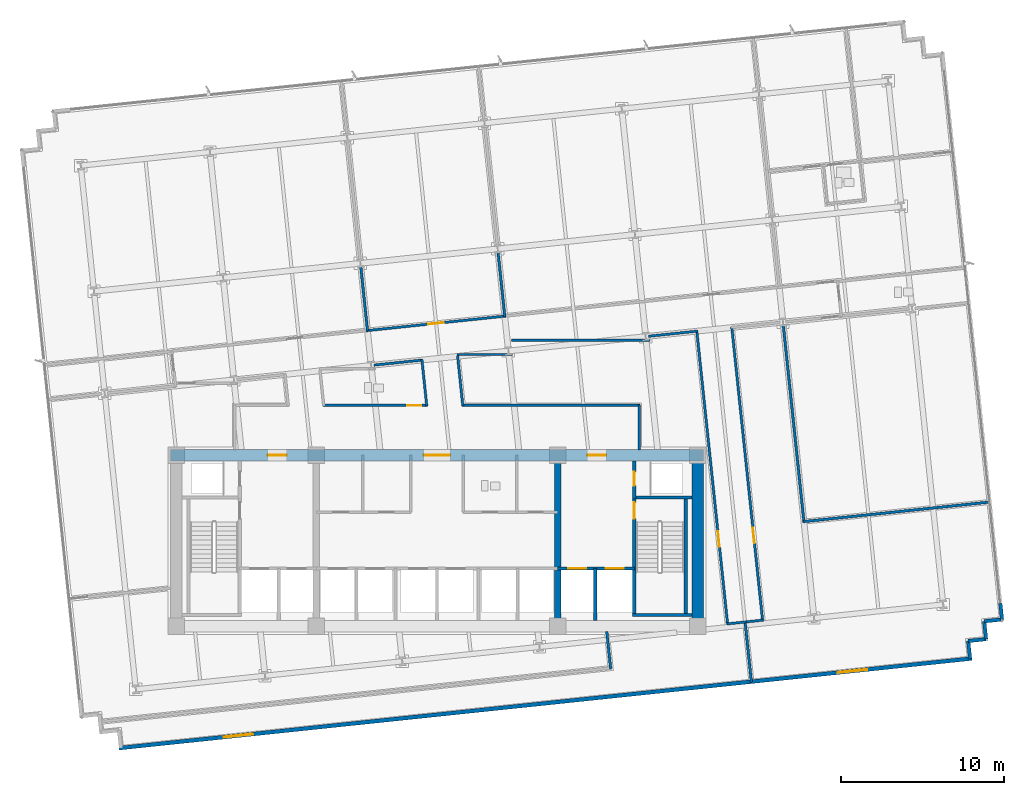
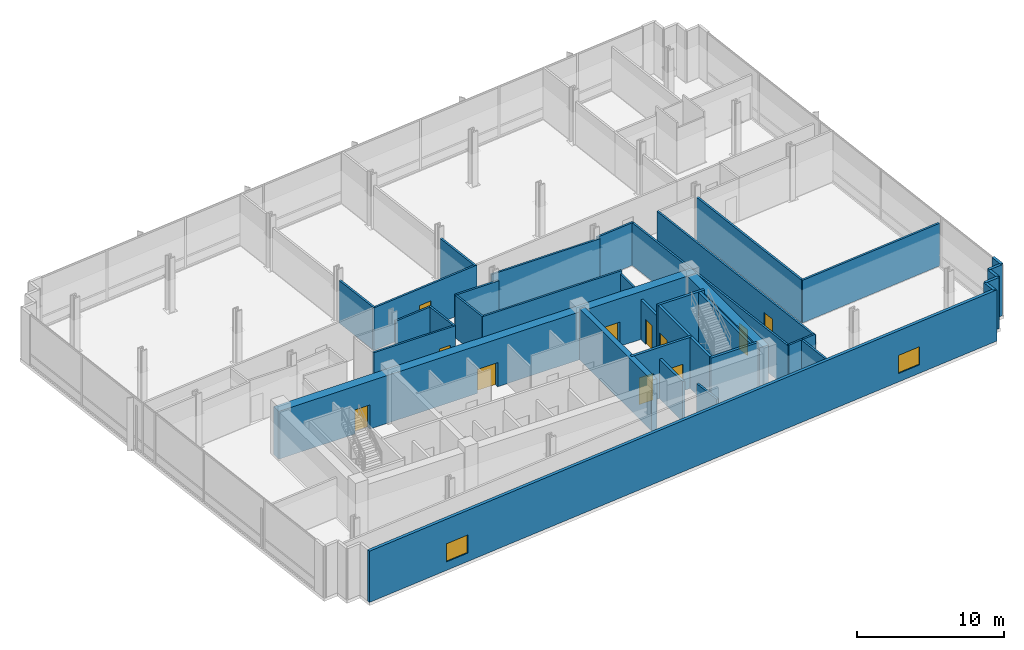
# One storey, part 13 of 20: 36 walls, 11 doors, 2 windows, 13 openings.
"""IFC4 building model written with IfcOpenShell, lengths in metres."""

from ifc_helpers import new_model, si_unit, direction, frame, frame_2d, origin, place, context, subcontext, project, spatial, rectangle, extrude, material, layer, layer_set, type_object, element, fill, save


model = new_model("IFC4")

# Units and contexts
model_context = context("Model", 3, precision=1e-05, world=origin(), true_north=direction((0.0, 1.0)))
body_context = subcontext(model_context, "Body", "Model", "MODEL_VIEW")
ifc_project = project(units=[si_unit("LENGTHUNIT", "METRE"), si_unit("AREAUNIT", "SQUARE_METRE"), si_unit("VOLUMEUNIT", "CUBIC_METRE"), si_unit("PLANEANGLEUNIT", "RADIAN"), si_unit("MASSUNIT", "GRAM", prefix="KILO")], contexts=[model_context])

# Site, building, storey
site_placement = place(None, origin())
site = spatial("IfcSite", under=ifc_project, at=site_placement, CompositionType="ELEMENT")
building_placement = place(site_placement, origin())
building = spatial("IfcBuilding", under=site, at=building_placement, Name="Solmavex Isthmus Hotel", CompositionType="ELEMENT")
storey_placement = place(building_placement, frame((0.0, 0.0, 97.35009765625)))
storey = spatial("IfcBuildingStorey", under=building, at=storey_placement, Name="L26", CompositionType="ELEMENT", Elevation=97.35009765625)

# Wall, openings, windows
ifc_material_1 = material(Name="Precast Concrete C40/50", Category="concrete")
ifc_layer_1 = layer(ifc_material_1, 0.25)
ifc_layer_set_1 = layer_set([ifc_layer_1], Name="Precast Concrete C40/50")
wall_type_1 = type_object("IfcWallType", Name="EW-TWR-250", PredefinedType="STANDARD", material=ifc_layer_set_1)
wall_1_placement = place(storey_placement, frame((-19.504150390625, -20.4716796875, 0.0), z_axis=(0.0, 0.0, 1.0), x_axis=(0.994521743132, 0.104529911687, 0.0)))
wall_1 = element("IfcWall", 1, at=wall_1_placement, inside=storey, type_object=wall_type_1, Name="Tower Rear South Facade Wall L26", PredefinedType="STANDARD", context=body_context, shape_type="SweptSolid", body=[
    extrude(rectangle(XDim=52.60009765625, YDim=0.239990234375, at=frame_2d((26.300048828125, 0.0))), origin(), (0.0, 0.0, 1.0), 4.239990234375),
])
opening_1_placement = place(wall_1_placement, frame((6.464111328125, 0.0, 0.699951171875)))
opening_1 = element("IfcOpeningElement", 2, at=opening_1_placement, cuts=wall_1, Name="Opening WN-02", PredefinedType="OPENING", context=body_context, shape_type="SweptSolid", body=[
    extrude(rectangle(XDim=1.800048828125, YDim=1.5, at=frame_2d((0.89990234375, 0.75))), frame((0.0, 0.1298828125, 0.0), z_axis=(0.0, -1.0, 0.0), x_axis=(1.0, 0.0, 0.0)), (0.0, 0.0, 1.0), 0.260009765625),
])
opening_2_placement = place(wall_1_placement, frame((44.3359375, 0.0, 0.699951171875)))
opening_2 = element("IfcOpeningElement", 3, at=opening_2_placement, cuts=wall_1, Name="Opening WN-02", PredefinedType="OPENING", context=body_context, shape_type="SweptSolid", body=[
    extrude(rectangle(XDim=1.800048828125, YDim=1.5, at=frame_2d((0.89990234375, 0.75))), frame((0.0, 0.1298828125, 0.0), z_axis=(0.0, -1.0, 0.0), x_axis=(1.0, 0.0, 0.0)), (0.0, 0.0, 1.0), 0.260009765625),
])
ifc_material_2 = material(Name="Clear low-E laminated glass", Category="glass")
window_type = type_object("IfcWindowType", Name="WIN-TWR-1800", PartitioningType="SINGLE_PANEL", PredefinedType="WINDOW", material=ifc_material_2)
window_1_placement = place(opening_1_placement, origin())
window_1 = element("IfcWindow", 4, at=window_1_placement, inside=storey, type_object=window_type, Name="South Facade Vision Window L26-S1", OverallHeight=1.5, OverallWidth=1.800048828125, PartitioningType="SINGLE_PANEL", PredefinedType="WINDOW", context=body_context, shape_type="SweptSolid", body=[
    extrude(rectangle(XDim=1.800048828125, YDim=1.5, at=frame_2d((0.89990234375, 0.75))), frame((0.0, 0.030029296875, 0.0), z_axis=(0.0, -1.0, 0.0), x_axis=(1.0, 0.0, 0.0)), (0.0, 0.0, 1.0), 0.06005859375),
])
fill(opening_1, window_1)
window_2_placement = place(opening_2_placement, origin())
window_2 = element("IfcWindow", 5, at=window_2_placement, inside=storey, type_object=window_type, Name="South Facade Vision Window L26-S2", OverallHeight=1.5, OverallWidth=1.800048828125, PartitioningType="SINGLE_PANEL", PredefinedType="WINDOW", context=body_context, shape_type="SweptSolid", body=[
    extrude(rectangle(XDim=1.800048828125, YDim=1.5, at=frame_2d((0.89990234375, 0.75))), frame((0.0, 0.030029296875, 0.0), z_axis=(0.0, -1.0, 0.0), x_axis=(1.0, 0.0, 0.0)), (0.0, 0.0, 1.0), 0.06005859375),
])
fill(opening_2, window_2)

# Walls
wall_2_placement = place(storey_placement, frame((34.553955078125, -11.59228515625, 0.0), z_axis=(0.0, 0.0, 1.0), x_axis=(0.104556418955, -0.99451895671, 0.0)))
element("IfcWall", 6, at=wall_2_placement, inside=storey, type_object=wall_type_1, Name="Serrated Corner Facade Panel L26-21", PredefinedType="STANDARD", context=body_context, shape_type="SweptSolid", body=[
    extrude(rectangle(XDim=0.989990234375, YDim=0.219970703125, at=frame_2d((0.4951171875, 0.0))), origin(), (0.0, 0.0, 1.0), 4.239990234375),
])
for number, where, z_axis, x_axis, name in (
    (7, (34.657470703125, -12.576904296875, 0.0), (0.0, 0.0, 1.0), (-0.994521251134, -0.104534592565, 0.0), "Serrated Corner Facade Panel L26-22"),
    (8, (33.5634765625, -12.69189453125, 0.0), (0.0, 0.0, 1.0), (0.104534592565, -0.994521251134, 0.0), "Serrated Corner Facade Panel L26-23"),
    (9, (33.678466796875, -13.785888671875, 0.0), (0.0, 0.0, 1.0), (-0.994521251134, -0.104534592565, 0.0), "Serrated Corner Facade Panel L26-24"),
    (10, (32.58447265625, -13.90087890625, 0.0), (0.0, 0.0, 1.0), (0.104534592565, -0.994521251134, 0.0), "Serrated Corner Facade Panel L26-25"),
):
    element("IfcWall", number, at=place(storey_placement, frame(where, z_axis=z_axis, x_axis=x_axis)), inside=storey, type_object=wall_type_1, Name=name, PredefinedType="STANDARD", context=body_context, shape_type="SweptSolid", body=[
        extrude(rectangle(XDim=1.10009765625, YDim=0.219970703125, at=frame_2d((0.550048828125, 0.0))), origin(), (0.0, 0.0, 1.0), 4.239990234375),
    ])
ifc_material_3 = material(Name="Gypsum plasterboard lining", Category="gypsum")
ifc_layer_2 = layer(ifc_material_3, 0.159912109375)
ifc_layer_set_2 = layer_set([ifc_layer_2], Name="Gypsum plasterboard lining")
wall_type_2 = type_object("IfcWallType", Name="IW-COMP-160", PredefinedType="PARTITIONING", material=ifc_layer_set_2)
for number, where, z_axis, x_axis, name in (
    (11, (-4.678955078125, 9.091796875, 0.0), (0.0, 0.0, 1.0), (0.104491540593, -0.994525775405, 0.0), "Interior Partition Wall W-L26-P031"),
    (12, (3.740478515625, 9.976806640625, 0.0), (0.0, 0.0, 1.0), (0.104551732594, -0.994519449388, 0.0), "Interior Partition Wall W-L26-P035"),
):
    element("IfcWall", number, at=place(storey_placement, frame(where, z_axis=z_axis, x_axis=x_axis)), inside=storey, type_object=wall_type_2, Name=name, PredefinedType="PARTITIONING", context=body_context, shape_type="SweptSolid", body=[
        extrude(rectangle(XDim=4.01171875, YDim=0.159912109375, at=frame_2d((2.005859375, 0.0))), origin(), (0.0, 0.0, 1.0), 3.529296875),
    ])
wall_3_placement = place(storey_placement, frame((33.930419921875, -5.37353515625, 0.0), z_axis=(0.0, 0.0, 1.0), x_axis=(-0.994523425118, -0.104513907644, 0.0)))
element("IfcWall", 13, at=wall_3_placement, inside=storey, type_object=wall_type_2, Name="Interior Partition Wall W-L26-P053", PredefinedType="PARTITIONING", context=body_context, shape_type="SweptSolid", body=[
    extrude(rectangle(XDim=11.528076171875, YDim=0.159912109375, at=frame_2d((5.76416015625, 0.0))), origin(), (0.0, 0.0, 1.0), 3.529296875),
])
wall_4_placement = place(storey_placement, frame((22.509521484375, -6.614013671875, 0.0), z_axis=(0.0, 0.0, 1.0), x_axis=(-0.104530153499, 0.994521717716, 0.0)))
element("IfcWall", 14, at=wall_4_placement, inside=storey, type_object=wall_type_2, Name="Interior Partition Wall W-L26-P054", PredefinedType="PARTITIONING", context=body_context, shape_type="SweptSolid", body=[
    extrude(rectangle(XDim=12.163818359375, YDim=0.159912109375, at=frame_2d((6.08203125, 0.0))), origin(), (0.0, 0.0, 1.0), 3.529296875),
])
wall_5_placement = place(storey_placement, frame((10.411376953125, -13.310302734375, 0.0), z_axis=(0.0, 0.0, 1.0), x_axis=(0.104535925093, -0.99452111107, 0.0)))
element("IfcWall", 15, at=wall_5_placement, inside=storey, type_object=wall_type_2, Name="Interior Partition Wall W-L26-P055", PredefinedType="PARTITIONING", context=body_context, shape_type="SweptSolid", body=[
    extrude(rectangle(XDim=2.30517578125, YDim=0.159912109375, at=frame_2d((1.152587890625, 0.0))), origin(), (0.0, 0.0, 1.0), 3.27490234375),
])
wall_6_placement = place(storey_placement, frame((18.8935546875, -12.6953125, 0.0), z_axis=(0.0, 0.0, 1.0), x_axis=(0.104536068716, -0.994521095974, 0.0)))
element("IfcWall", 16, at=wall_6_placement, inside=storey, type_object=wall_type_2, Name="Interior Partition Wall W-L26-P057", PredefinedType="PARTITIONING", context=body_context, shape_type="SweptSolid", body=[
    extrude(rectangle(XDim=3.760009765625, YDim=0.159912109375, at=frame_2d((1.8798828125, 0.0))), origin(), (0.0, 0.0, 1.0), 3.60302734375),
])

# Wall, opening, door
ifc_layer_3 = layer(ifc_material_3, 0.14990234375)
ifc_layer_set_3 = layer_set([ifc_layer_3], Name="Gypsum plasterboard lining")
wall_type_3 = type_object("IfcWallType", Name="IW-CORR-150", PredefinedType="PARTITIONING", material=ifc_layer_set_3)
wall_7_placement = place(storey_placement, frame((-4.345458984375, 5.13330078125, 0.0), z_axis=(0.0, 0.0, 1.0), x_axis=(0.994521717123, 0.104530159146, 0.0)))
wall_7 = element("IfcWall", 17, at=wall_7_placement, inside=storey, type_object=wall_type_3, Name="Interior Partition Wall W-L26-P002", PredefinedType="PARTITIONING", context=body_context, shape_type="SweptSolid", body=[
    extrude(rectangle(XDim=8.630126953125, YDim=0.14990234375, at=frame_2d((4.31494140625, 0.0))), origin(), (0.0, 0.0, 1.0), 3.529296875),
])
opening_3_placement = place(wall_7_placement, frame((3.840087890625, 0.0, 0.0)))
opening_3 = element("IfcOpeningElement", 18, at=opening_3_placement, cuts=wall_7, Name="Opening ID-C095", PredefinedType="OPENING", context=body_context, shape_type="SweptSolid", body=[
    extrude(rectangle(XDim=0.949951171875, YDim=2.14990234375, at=frame_2d((0.47509765625, 1.074951171875))), frame((0.0, 0.0849609375, 0.0), z_axis=(0.0, -1.0, 0.0), x_axis=(1.0, 0.0, 0.0)), (0.0, 0.0, 1.0), 0.169921875),
])
ifc_material_4 = material(Name="Hardwood timber", Category="wood")
door_type_1 = type_object("IfcDoorType", Name="IDR-FD60-0950", OperationType="NOTDEFINED", PredefinedType="DOOR", material=ifc_material_4)
door_1_placement = place(opening_3_placement, origin())
door_1 = element("IfcDoor", 19, at=door_1_placement, inside=storey, type_object=door_type_1, Name="Concierge Reception Door L26-02", OperationType="SINGLE_SWING_RIGHT", OverallHeight=2.14990234375, OverallWidth=0.949951171875, PredefinedType="DOOR", context=body_context, shape_type="SweptSolid", body=[
    extrude(rectangle(XDim=0.949951171875, YDim=2.14990234375, at=frame_2d((0.47509765625, 1.074951171875))), frame((0.0, 0.02490234375, 0.0), z_axis=(0.0, -1.0, 0.0), x_axis=(1.0, 0.0, 0.0)), (0.0, 0.0, 1.0), 0.050048828125),
])
fill(opening_3, door_1)

wall_8_placement = place(storey_placement, frame((-6.99169921875, 0.550048828125, 0.0), z_axis=(0.0, 0.0, 1.0), x_axis=(1.0, 0.0, 0.0)))
wall_8 = element("IfcWall", 20, at=wall_8_placement, inside=storey, type_object=wall_type_3, Name="Interior Partition Wall W-L26-P007", PredefinedType="PARTITIONING", context=body_context, shape_type="SweptSolid", body=[
    extrude(rectangle(XDim=6.400634765625, YDim=0.14990234375, at=frame_2d((3.2001953125, 0.0))), origin(), (0.0, 0.0, 1.0), 3.529296875),
])
opening_4_placement = place(wall_8_placement, frame((5.16455078125, 0.0, 0.0)))
opening_4 = element("IfcOpeningElement", 21, at=opening_4_placement, cuts=wall_8, Name="Opening ID-R085", PredefinedType="OPENING", context=body_context, shape_type="SweptSolid", body=[
    extrude(rectangle(XDim=0.85009765625, YDim=2.050048828125, at=frame_2d((0.425048828125, 1.02490234375))), frame((0.0, 0.0849609375, 0.0), z_axis=(0.0, -1.0, 0.0), x_axis=(1.0, 0.0, 0.0)), (0.0, 0.0, 1.0), 0.169921875),
])
ifc_material_5 = material(Name="Steel ASTM A500 Grade C", Category="steel")
door_type_2 = type_object("IfcDoorType", Name="IDR-FD60-0850", OperationType="NOTDEFINED", PredefinedType="DOOR", material=ifc_material_5)
door_2_placement = place(opening_4_placement, frame((0.85009765625, 0.0, 0.0), z_axis=(0.0, 0.0, 1.0), x_axis=(-1.0, 0.0, 0.0)))
door_2 = element("IfcDoor", 22, at=door_2_placement, inside=storey, type_object=door_type_2, Name="Accessible Public Restroom WC Door L26-08", OperationType="SINGLE_SWING_RIGHT", OverallHeight=2.050048828125, OverallWidth=0.85009765625, PredefinedType="DOOR", context=body_context, shape_type="SweptSolid", body=[
    extrude(rectangle(XDim=0.85009765625, YDim=2.050048828125, at=frame_2d((0.425048828125, 1.02490234375))), frame((0.0, 0.02490234375, 0.0), z_axis=(0.0, -1.0, 0.0), x_axis=(1.0, 0.0, 0.0)), (0.0, 0.0, 1.0), 0.050048828125),
])
fill(opening_4, door_2)

# Walls
wall_9_placement = place(storey_placement, frame((-0.626708984375, 0.51025390625, 0.0), z_axis=(0.0, 0.0, 1.0), x_axis=(-0.104569907609, 0.994517538519, 0.0)))
element("IfcWall", 23, at=wall_9_placement, inside=storey, type_object=wall_type_3, Name="Interior Partition Wall W-L26-P008", PredefinedType="PARTITIONING", context=body_context, shape_type="SweptSolid", body=[
    extrude(rectangle(XDim=2.87646484375, YDim=0.14990234375, at=frame_2d((1.438232421875, 0.0))), origin(), (0.0, 0.0, 1.0), 3.529296875),
])
wall_10_placement = place(storey_placement, frame((-0.883544921875, 3.335205078125, 0.0), z_axis=(0.0, 0.0, 1.0), x_axis=(-0.994522848096, -0.104519398272, 0.0)))
element("IfcWall", 24, at=wall_10_placement, inside=storey, type_object=wall_type_3, Name="Interior Partition Wall W-L26-P009", PredefinedType="PARTITIONING", context=body_context, shape_type="SweptSolid", body=[
    extrude(rectangle(XDim=2.996826171875, YDim=0.14990234375, at=frame_2d((1.49853515625, 0.0))), origin(), (0.0, 0.0, 1.0), 3.529296875),
])
wall_11_placement = place(storey_placement, frame((18.979248046875, -12.7265625, 0.0), z_axis=(0.0, 0.0, 1.0), x_axis=(-0.994524339101, -0.104505210087, 0.0)))
element("IfcWall", 25, at=wall_11_placement, inside=storey, type_object=wall_type_3, Name="Interior Partition Wall W-L26-P018", PredefinedType="PARTITIONING", context=body_context, shape_type="SweptSolid", body=[
    extrude(rectangle(XDim=1.203125, YDim=0.14990234375, at=frame_2d((0.6015625, 0.0))), origin(), (0.0, 0.0, 1.0), 3.60302734375),
])

# Wall, opening, door
wall_12_placement = place(storey_placement, frame((17.82666015625, -12.887939453125, 0.0), z_axis=(0.0, 0.0, 1.0), x_axis=(-0.104523559353, 0.994522410778, 0.0)))
wall_12 = element("IfcWall", 26, at=wall_12_placement, inside=storey, type_object=wall_type_3, Name="Interior Partition Wall W-L26-P019", PredefinedType="PARTITIONING", context=body_context, shape_type="SweptSolid", body=[
    extrude(rectangle(XDim=18.130126953125, YDim=0.14990234375, at=frame_2d((9.06494140625, 0.0))), origin(), (0.0, 0.0, 1.0), 3.529296875),
])
opening_5_placement = place(wall_12_placement, frame((4.799560546875, 0.0, 0.0)))
opening_5 = element("IfcOpeningElement", 27, at=opening_5_placement, cuts=wall_12, Name="Opening ID-C095", PredefinedType="OPENING", context=body_context, shape_type="SweptSolid", body=[
    extrude(rectangle(XDim=0.949951171875, YDim=2.14990234375, at=frame_2d((0.47509765625, 1.074951171875))), frame((0.0, 0.0849609375, 0.0), z_axis=(0.0, -1.0, 0.0), x_axis=(1.0, 0.0, 0.0)), (0.0, 0.0, 1.0), 0.169921875),
])
door_3_placement = place(opening_5_placement, frame((0.949951171875, 0.0, 0.0), z_axis=(0.0, 0.0, 1.0), x_axis=(-1.0, 0.0, 0.0)))
door_3 = element("IfcDoor", 28, at=door_3_placement, inside=storey, type_object=door_type_1, Name="VIP Boardroom Door L26-14", OperationType="SINGLE_SWING_RIGHT", OverallHeight=2.14990234375, OverallWidth=0.949951171875, PredefinedType="DOOR", context=body_context, shape_type="SweptSolid", body=[
    extrude(rectangle(XDim=0.949951171875, YDim=2.14990234375, at=frame_2d((0.47509765625, 1.074951171875))), frame((0.0, 0.02490234375, 0.0), z_axis=(0.0, -1.0, 0.0), x_axis=(1.0, 0.0, 0.0)), (0.0, 0.0, 1.0), 0.050048828125),
])
fill(opening_5, door_3)

# Walls
wall_13_placement = place(storey_placement, frame((15.9755859375, 5.107177734375, 0.0), z_axis=(0.0, 0.0, 1.0), x_axis=(-0.994518748051, -0.104558403652, 0.0)))
element("IfcWall", 29, at=wall_13_placement, inside=storey, type_object=wall_type_3, Name="Interior Partition Wall W-L26-P020", PredefinedType="PARTITIONING", context=body_context, shape_type="SweptSolid", body=[
    extrude(rectangle(XDim=3.016845703125, YDim=0.14990234375, at=frame_2d((1.50830078125, 0.0))), origin(), (0.0, 0.0, 1.0), 3.529296875),
])
wall_14_placement = place(storey_placement, frame((13.05517578125, 4.558349609375, 0.0), z_axis=(0.0, 0.0, 1.0), x_axis=(-1.0, 0.0, 0.0)))
element("IfcWall", 30, at=wall_14_placement, inside=storey, type_object=wall_type_3, Name="Interior Partition Wall W-L26-P021", PredefinedType="PARTITIONING", context=body_context, shape_type="SweptSolid", body=[
    extrude(rectangle(XDim=8.49951171875, YDim=0.14990234375, at=frame_2d((4.249755859375, 0.0))), origin(), (0.0, 0.0, 1.0), 3.529296875),
])
wall_15_placement = place(storey_placement, frame((4.635498046875, 3.673583984375, 0.0), z_axis=(0.0, 0.0, 1.0), x_axis=(-1.0, 0.0, 0.0)))
element("IfcWall", 31, at=wall_15_placement, inside=storey, type_object=wall_type_3, Name="Interior Partition Wall W-L26-P022", PredefinedType="PARTITIONING", context=body_context, shape_type="SweptSolid", body=[
    extrude(rectangle(XDim=3.41064453125, YDim=0.14990234375, at=frame_2d((1.705322265625, 0.0))), origin(), (0.0, 0.0, 1.0), 3.529296875),
])
wall_16_placement = place(storey_placement, frame((1.260498046875, 3.600830078125, 0.0), z_axis=(0.0, 0.0, 1.0), x_axis=(0.104488483176, -0.994526096633, 0.0)))
element("IfcWall", 32, at=wall_16_placement, inside=storey, type_object=wall_type_3, Name="Interior Partition Wall W-L26-P023", PredefinedType="PARTITIONING", context=body_context, shape_type="SweptSolid", body=[
    extrude(rectangle(XDim=3.107666015625, YDim=0.14990234375, at=frame_2d((1.5537109375, 0.0))), origin(), (0.0, 0.0, 1.0), 3.529296875),
])
wall_17_placement = place(storey_placement, frame((1.541015625, 0.550048828125, 0.0), z_axis=(0.0, 0.0, 1.0), x_axis=(1.0, 0.0, 0.0)))
element("IfcWall", 33, at=wall_17_placement, inside=storey, type_object=wall_type_3, Name="Interior Partition Wall W-L26-P024", PredefinedType="PARTITIONING", context=body_context, shape_type="SweptSolid", body=[
    extrude(rectangle(XDim=10.89892578125, YDim=0.14990234375, at=frame_2d((5.449462890625, 0.0))), origin(), (0.0, 0.0, 1.0), 3.529296875),
])
wall_18_placement = place(storey_placement, frame((12.39990234375, 0.590087890625, 0.0), z_axis=(0.0, 0.0, 1.0), x_axis=(0.0, -1.0, 0.0)))
element("IfcWall", 34, at=wall_18_placement, inside=storey, type_object=wall_type_3, Name="Interior Partition Wall W-L26-P025", PredefinedType="PARTITIONING", context=body_context, shape_type="SweptSolid", body=[
    extrude(rectangle(XDim=2.780029296875, YDim=0.14990234375, at=frame_2d((1.39013671875, 0.0))), origin(), (0.0, 0.0, 1.0), 3.27490234375),
])

# Wall, opening, door
wall_19_placement = place(storey_placement, frame((18.079833984375, 5.36865234375, 0.0), z_axis=(0.0, 0.0, 1.0), x_axis=(0.104523559353, -0.994522410778, 0.0)))
wall_19 = element("IfcWall", 35, at=wall_19_placement, inside=storey, type_object=wall_type_3, Name="Interior Partition Wall W-L26-P027", PredefinedType="PARTITIONING", context=body_context, shape_type="SweptSolid", body=[
    extrude(rectangle(XDim=18.130126953125, YDim=0.14990234375, at=frame_2d((9.06494140625, 0.0))), origin(), (0.0, 0.0, 1.0), 3.529296875),
])
opening_6_placement = place(wall_19_placement, frame((12.380615234375, 0.0, 0.0)))
opening_6 = element("IfcOpeningElement", 36, at=opening_6_placement, cuts=wall_19, Name="Opening ID-C095", PredefinedType="OPENING", context=body_context, shape_type="SweptSolid", body=[
    extrude(rectangle(XDim=0.949951171875, YDim=2.14990234375, at=frame_2d((0.47509765625, 1.074951171875))), frame((0.0, 0.0849609375, 0.0), z_axis=(0.0, -1.0, 0.0), x_axis=(1.0, 0.0, 0.0)), (0.0, 0.0, 1.0), 0.169921875),
])
door_4_placement = place(opening_6_placement, origin())
door_4 = element("IfcDoor", 37, at=door_4_placement, inside=storey, type_object=door_type_1, Name="Corporate Briefing Office Door L26-15", OperationType="SINGLE_SWING_LEFT", OverallHeight=2.14990234375, OverallWidth=0.949951171875, PredefinedType="DOOR", context=body_context, shape_type="SweptSolid", body=[
    extrude(rectangle(XDim=0.949951171875, YDim=2.14990234375, at=frame_2d((0.47509765625, 1.074951171875))), frame((0.0, 0.02490234375, 0.0), z_axis=(0.0, -1.0, 0.0), x_axis=(1.0, 0.0, 0.0)), (0.0, 0.0, 1.0), 0.050048828125),
])
fill(opening_6, door_4)

# Wall
wall_20_placement = place(storey_placement, frame((20.010498046875, -12.6181640625, 0.0), z_axis=(0.0, 0.0, 1.0), x_axis=(-0.99452548582, -0.104494296752, 0.0)))
element("IfcWall", 38, at=wall_20_placement, inside=storey, type_object=wall_type_3, Name="Interior Partition Wall W-L26-P028", PredefinedType="PARTITIONING", context=body_context, shape_type="SweptSolid", body=[
    extrude(rectangle(XDim=1.200927734375, YDim=0.14990234375, at=frame_2d((0.6005859375, 0.0))), origin(), (0.0, 0.0, 1.0), 3.60302734375),
])

# Wall, opening, door
ifc_material_6 = material(Name="Concrete C40/50", Category="concrete")
ifc_layer_4 = layer(ifc_material_6, 0.199951171875)
ifc_layer_set_4 = layer_set([ifc_layer_4], Name="Concrete C40/50")
wall_type_4 = type_object("IfcWallType", Name="IW-SHAFT-200", PredefinedType="PARTITIONING", material=ifc_layer_set_4)
wall_21_placement = place(storey_placement, frame((12.10009765625, -5.199951171875, 0.0), z_axis=(0.0, 0.0, 1.0), x_axis=(0.0, 1.0, 0.0)))
wall_21 = element("IfcWall", 39, at=wall_21_placement, inside=storey, type_object=wall_type_4, Name="Interior Partition Wall W-L26-RSE-W", PredefinedType="PARTITIONING", context=body_context, shape_type="SweptSolid", body=[
    extrude(rectangle(XDim=2.349853515625, YDim=0.199951171875, at=frame_2d((1.1748046875, 0.0))), origin(), (0.0, 0.0, 1.0), 3.27490234375),
])
opening_7_placement = place(wall_21_placement, frame((0.824951171875, 0.0, 0.0)))
opening_7 = element("IfcOpeningElement", 40, at=opening_7_placement, cuts=wall_21, Name="Opening ID-R085", PredefinedType="OPENING", context=body_context, shape_type="SweptSolid", body=[
    extrude(rectangle(XDim=0.85009765625, YDim=2.050048828125, at=frame_2d((0.425048828125, 1.02490234375))), frame((0.0, 0.10986328125, 0.0), z_axis=(0.0, -1.0, 0.0), x_axis=(1.0, 0.0, 0.0)), (0.0, 0.0, 1.0), 0.219970703125),
])
door_5_placement = place(opening_7_placement, frame((0.85009765625, 0.0, 0.0), z_axis=(0.0, 0.0, 1.0), x_axis=(-1.0, 0.0, 0.0)))
door_5 = element("IfcDoor", 41, at=door_5_placement, inside=storey, type_object=door_type_2, Name="Mechanical Riser Door L26", OperationType="SINGLE_SWING_LEFT", OverallHeight=2.050048828125, OverallWidth=0.85009765625, PredefinedType="DOOR", context=body_context, shape_type="SweptSolid", body=[
    extrude(rectangle(XDim=0.85009765625, YDim=2.050048828125, at=frame_2d((0.425048828125, 1.02490234375))), frame((0.0, 0.02490234375, 0.0), z_axis=(0.0, -1.0, 0.0), x_axis=(1.0, 0.0, 0.0)), (0.0, 0.0, 1.0), 0.050048828125),
])
fill(opening_7, door_5)

# Wall, openings, doors
wall_22_placement = place(storey_placement, frame((7.39990234375, -9.449951171875, 0.0), z_axis=(0.0, 0.0, 1.0), x_axis=(1.0, 0.0, 0.0)))
wall_22 = element("IfcWall", 42, at=wall_22_placement, inside=storey, type_object=wall_type_4, Name="Interior Partition Wall W-L26-FFLE-S", PredefinedType="PARTITIONING", context=body_context, shape_type="SweptSolid", body=[
    extrude(rectangle(XDim=4.7001953125, YDim=0.199951171875, at=frame_2d((2.35009765625, 0.0))), origin(), (0.0, 0.0, 1.0), 4.239990234375),
])
opening_8_placement = place(wall_22_placement, frame((2.949951171875, 0.0, 0.0)))
opening_8 = element("IfcOpeningElement", 43, at=opening_8_placement, cuts=wall_22, Name="Opening LD-FF", PredefinedType="OPENING", context=body_context, shape_type="SweptSolid", body=[
    extrude(rectangle(XDim=1.10009765625, YDim=2.199951171875, at=frame_2d((0.550048828125, 1.10009765625))), frame((0.0, 0.10986328125, 0.0), z_axis=(0.0, -1.0, 0.0), x_axis=(1.0, 0.0, 0.0)), (0.0, 0.0, 1.0), 0.219970703125),
])
opening_9_placement = place(wall_22_placement, frame((0.64990234375, 0.0, 0.0)))
opening_9 = element("IfcOpeningElement", 44, at=opening_9_placement, cuts=wall_22, Name="Opening LD-SV", PredefinedType="OPENING", context=body_context, shape_type="SweptSolid", body=[
    extrude(rectangle(XDim=1.10009765625, YDim=2.199951171875, at=frame_2d((0.550048828125, 1.10009765625))), frame((0.0, 0.10986328125, 0.0), z_axis=(0.0, -1.0, 0.0), x_axis=(1.0, 0.0, 0.0)), (0.0, 0.0, 1.0), 0.219970703125),
])
ifc_material_7 = material(Name="Stainless steel 316", Category="steel")
door_type_3 = type_object("IfcDoorType", Name="LDR-FF-1100", OperationType="NOTDEFINED", PredefinedType="DOOR", material=ifc_material_7)
door_6_placement = place(opening_8_placement, origin())
door_6 = element("IfcDoor", 45, at=door_6_placement, inside=storey, type_object=door_type_3, Name="Lift Landing Door FFL-2 L26", OperationType="SLIDING_TO_LEFT", OverallHeight=2.199951171875, OverallWidth=1.10009765625, PredefinedType="DOOR", context=body_context, shape_type="SweptSolid", body=[
    extrude(rectangle(XDim=1.10009765625, YDim=2.199951171875, at=frame_2d((0.550048828125, 1.10009765625))), frame((0.0, 0.02490234375, 0.0), z_axis=(0.0, -1.0, 0.0), x_axis=(1.0, 0.0, 0.0)), (0.0, 0.0, 1.0), 0.050048828125),
])
fill(opening_8, door_6)
door_type_4 = type_object("IfcDoorType", Name="LDR-SV-1100", OperationType="NOTDEFINED", PredefinedType="DOOR", material=ifc_material_7)
door_7_placement = place(opening_9_placement, origin())
door_7 = element("IfcDoor", 46, at=door_7_placement, inside=storey, type_object=door_type_4, Name="Lift Landing Door SVL-2 L26", OperationType="SLIDING_TO_RIGHT", OverallHeight=2.199951171875, OverallWidth=1.10009765625, PredefinedType="DOOR", context=body_context, shape_type="SweptSolid", body=[
    extrude(rectangle(XDim=1.10009765625, YDim=2.199951171875, at=frame_2d((0.550048828125, 1.10009765625))), frame((0.0, 0.02490234375, 0.0), z_axis=(0.0, -1.0, 0.0), x_axis=(1.0, 0.0, 0.0)), (0.0, 0.0, 1.0), 0.050048828125),
])
fill(opening_9, door_7)

# Walls
wall_23_placement = place(storey_placement, frame((9.699951171875, -12.64990234375, 0.0), z_axis=(0.0, 0.0, 1.0), x_axis=(0.0, 1.0, 0.0)))
element("IfcWall", 47, at=wall_23_placement, inside=storey, type_object=wall_type_4, Name="Interior Partition Wall W-L26-FFLE-M", PredefinedType="PARTITIONING", context=body_context, shape_type="SweptSolid", body=[
    extrude(rectangle(XDim=3.199951171875, YDim=0.199951171875, at=frame_2d((1.60009765625, 0.0))), origin(), (0.0, 0.0, 1.0), 3.27490234375),
])
ifc_material_8 = material(Name="Concrete C60/75", Category="concrete")
ifc_layer_5 = layer(ifc_material_8, 0.39990234375)
ifc_layer_set_5 = layer_set([ifc_layer_5], Name="Concrete C60/75")
wall_type_5 = type_object("IfcWallType", Name="WALL-CW-400M", PredefinedType="SHEAR", material=ifc_layer_set_5)
wall_24_placement = place(storey_placement, frame((7.39990234375, -12.64990234375, 0.0), z_axis=(0.0, 0.0, 1.0), x_axis=(0.0, 1.0, 0.0)))
element("IfcWall", 48, at=wall_24_placement, inside=storey, type_object=wall_type_5, Name="Core Cross Shear Wall C2 L26", PredefinedType="SHEAR", context=body_context, shape_type="SweptSolid", body=[
    extrude(rectangle(XDim=9.7998046875, YDim=0.39990234375, at=frame_2d((4.89990234375, 0.0))), origin(), (0.0, 0.0, 1.0), 4.239990234375),
])

# Wall, openings, doors
ifc_layer_6 = layer(ifc_material_8, 0.699951171875)
ifc_layer_set_6 = layer_set([ifc_layer_6], Name="Concrete C60/75")
wall_type_6 = type_object("IfcWallType", Name="WALL-CW-700", PredefinedType="SHEAR", material=ifc_layer_set_6)
wall_25_placement = place(storey_placement, frame((-16.35009765625, -2.5, 0.0), z_axis=(0.0, 0.0, 1.0), x_axis=(1.0, 0.0, 0.0)))
wall_25 = element("IfcWall", 49, at=wall_25_placement, inside=storey, type_object=wall_type_6, Name="Core Shear Wall North L26", PredefinedType="SHEAR", context=body_context, shape_type="SweptSolid", body=[
    extrude(rectangle(XDim=32.7001953125, YDim=0.699951171875, at=frame_2d((16.35009765625, 0.0))), origin(), (0.0, 0.0, 1.0), 3.9599609375),
])
opening_10_placement = place(wall_25_placement, frame((5.97509765625, 0.0, 0.0)))
opening_10 = element("IfcOpeningElement", 50, at=opening_10_placement, cuts=wall_25, Name="Opening ID-F915", PredefinedType="OPENING", context=body_context, shape_type="SweptSolid", body=[
    extrude(rectangle(XDim=1.14990234375, YDim=2.0, at=frame_2d((0.574951171875, 1.0))), frame((0.0, 0.35986328125, 0.0), z_axis=(0.0, -1.0, 0.0), x_axis=(1.0, 0.0, 0.0)), (0.0, 0.0, 1.0), 0.719970703125),
])
opening_11_placement = place(wall_25_placement, frame((15.550048828125, 0.0, 0.0)))
opening_11 = element("IfcOpeningElement", 51, at=opening_11_placement, cuts=wall_25, Name="Opening ID-F960", PredefinedType="OPENING", context=body_context, shape_type="SweptSolid", body=[
    extrude(rectangle(XDim=1.60009765625, YDim=2.0, at=frame_2d((0.800048828125, 1.0))), frame((0.0, 0.35986328125, 0.0), z_axis=(0.0, -1.0, 0.0), x_axis=(1.0, 0.0, 0.0)), (0.0, 0.0, 1.0), 0.719970703125),
])
opening_12_placement = place(wall_25_placement, frame((25.574951171875, 0.0, 0.0)))
opening_12 = element("IfcOpeningElement", 52, at=opening_12_placement, cuts=wall_25, Name="Opening ID-F915", PredefinedType="OPENING", context=body_context, shape_type="SweptSolid", body=[
    extrude(rectangle(XDim=1.14990234375, YDim=2.0, at=frame_2d((0.574951171875, 1.0))), frame((0.0, 0.35986328125, 0.0), z_axis=(0.0, -1.0, 0.0), x_axis=(1.0, 0.0, 0.0)), (0.0, 0.0, 1.0), 0.719970703125),
])
door_type_5 = type_object("IfcDoorType", Name="IDR-FD90-1150C", OperationType="NOTDEFINED", PredefinedType="DOOR", material=ifc_material_5)
door_8_placement = place(opening_10_placement, origin())
door_8 = element("IfcDoor", 53, at=door_8_placement, inside=storey, type_object=door_type_5, Name="Firefighting Lobby West Exit Door L26", OperationType="SINGLE_SWING_LEFT", OverallHeight=2.0, OverallWidth=1.14990234375, PredefinedType="DOOR", context=body_context, shape_type="SweptSolid", body=[
    extrude(rectangle(XDim=1.14990234375, YDim=2.0, at=frame_2d((0.574951171875, 1.0))), frame((0.0, 0.02490234375, 0.0), z_axis=(0.0, -1.0, 0.0), x_axis=(1.0, 0.0, 0.0)), (0.0, 0.0, 1.0), 0.050048828125),
])
fill(opening_10, door_8)
door_9_placement = place(opening_12_placement, origin())
door_9 = element("IfcDoor", 54, at=door_9_placement, inside=storey, type_object=door_type_5, Name="Firefighting Lobby East Exit Door L26", OperationType="SINGLE_SWING_RIGHT", OverallHeight=2.0, OverallWidth=1.14990234375, PredefinedType="DOOR", context=body_context, shape_type="SweptSolid", body=[
    extrude(rectangle(XDim=1.14990234375, YDim=2.0, at=frame_2d((0.574951171875, 1.0))), frame((0.0, 0.02490234375, 0.0), z_axis=(0.0, -1.0, 0.0), x_axis=(1.0, 0.0, 0.0)), (0.0, 0.0, 1.0), 0.050048828125),
])
fill(opening_12, door_9)
door_type_6 = type_object("IfcDoorType", Name="IDR-FD90-1600C", OperationType="NOTDEFINED", PredefinedType="DOOR", material=ifc_material_5)
door_10_placement = place(opening_11_placement, origin())
door_10 = element("IfcDoor", 55, at=door_10_placement, inside=storey, type_object=door_type_6, Name="Central Lift Lobby Door L26", OperationType="DOUBLE_DOOR_SINGLE_SWING", OverallHeight=2.0, OverallWidth=1.60009765625, PredefinedType="DOOR", context=body_context, shape_type="SweptSolid", body=[
    extrude(rectangle(XDim=1.60009765625, YDim=2.0, at=frame_2d((0.800048828125, 1.0))), frame((0.0, 0.02490234375, 0.0), z_axis=(0.0, -1.0, 0.0), x_axis=(1.0, 0.0, 0.0)), (0.0, 0.0, 1.0), 0.050048828125),
])
fill(opening_11, door_10)

# Walls
wall_26_placement = place(storey_placement, frame((16.0, -12.64990234375, 0.0), z_axis=(0.0, 0.0, 1.0), x_axis=(0.0, 1.0, 0.0)))
element("IfcWall", 56, at=wall_26_placement, inside=storey, type_object=wall_type_6, Name="Core Shear Wall East L26", PredefinedType="SHEAR", context=body_context, shape_type="SweptSolid", body=[
    extrude(rectangle(XDim=9.7998046875, YDim=0.699951171875, at=frame_2d((4.89990234375, 0.0))), origin(), (0.0, 0.0, 1.0), 3.9599609375),
])
ifc_layer_7 = layer(ifc_material_6, 0.199951171875)
ifc_layer_set_7 = layer_set([ifc_layer_7], Name="Concrete C40/50")
wall_type_7 = type_object("IfcWallType", Name="WALL-SW-200", PredefinedType="SOLIDWALL", material=ifc_layer_set_7)
for number, where, z_axis, x_axis, name in (
    (57, (12.0, -12.300048828125, 0.0), (0.0, 0.0, 1.0), (1.0, 0.0, 0.0), "Stairwell Structural Wall SW-L26-ST2-S"),
    (58, (12.0, -5.10009765625, 0.0), (0.0, 0.0, 1.0), (1.0, 0.0, 0.0), "Stairwell Structural Wall SW-L26-ST2-N"),
):
    element("IfcWall", number, at=place(storey_placement, frame(where, z_axis=z_axis, x_axis=x_axis)), inside=storey, type_object=wall_type_7, Name=name, PredefinedType="SOLIDWALL", context=body_context, shape_type="SweptSolid", body=[
        extrude(rectangle(XDim=3.64990234375, YDim=0.199951171875, at=frame_2d((1.824951171875, 0.0))), origin(), (0.0, 0.0, 1.0), 4.239990234375),
    ])

# Wall, opening, door
wall_27_placement = place(storey_placement, frame((12.10009765625, -12.199951171875, 0.0), z_axis=(0.0, 0.0, 1.0), x_axis=(0.0, 1.0, 0.0)))
wall_27 = element("IfcWall", 59, at=wall_27_placement, inside=storey, type_object=wall_type_7, Name="Stairwell Structural Wall SW-L26-ST2-W", PredefinedType="SOLIDWALL", context=body_context, shape_type="SweptSolid", body=[
    extrude(rectangle(XDim=7.0, YDim=0.199951171875, at=frame_2d((3.5, 0.0))), origin(), (0.0, 0.0, 1.0), 4.239990234375),
])
opening_13_placement = place(wall_27_placement, frame((5.800048828125, 0.0, 0.0)))
opening_13 = element("IfcOpeningElement", 60, at=opening_13_placement, cuts=wall_27, Name="Opening ID-F100", PredefinedType="OPENING", context=body_context, shape_type="SweptSolid", body=[
    extrude(rectangle(XDim=1.0, YDim=2.10009765625, at=frame_2d((0.5, 1.050048828125))), frame((0.0, 0.10986328125, 0.0), z_axis=(0.0, -1.0, 0.0), x_axis=(1.0, 0.0, 0.0)), (0.0, 0.0, 1.0), 0.219970703125),
])
door_type_7 = type_object("IfcDoorType", Name="IDR-FD90-1000", OperationType="NOTDEFINED", PredefinedType="DOOR", material=ifc_material_5)
door_11_placement = place(opening_13_placement, origin())
door_11 = element("IfcDoor", 61, at=door_11_placement, inside=storey, type_object=door_type_7, Name="Stair ST-2 Fire Door L26", OperationType="SINGLE_SWING_RIGHT", OverallHeight=2.10009765625, OverallWidth=1.0, PredefinedType="DOOR", context=body_context, shape_type="SweptSolid", body=[
    extrude(rectangle(XDim=1.0, YDim=2.10009765625, at=frame_2d((0.5, 1.050048828125))), frame((0.0, 0.02490234375, 0.0), z_axis=(0.0, -1.0, 0.0), x_axis=(1.0, 0.0, 0.0)), (0.0, 0.0, 1.0), 0.050048828125),
])
fill(opening_13, door_11)

# Wall
wall_28_placement = place(storey_placement, frame((15.25, -12.199951171875, 0.0), z_axis=(0.0, 0.0, 1.0), x_axis=(0.0, 1.0, 0.0)))
element("IfcWall", 62, at=wall_28_placement, inside=storey, type_object=wall_type_7, Name="Stairwell Structural Wall SW-L26-ST2-E", PredefinedType="SOLIDWALL", context=body_context, shape_type="SweptSolid", body=[
    extrude(rectangle(XDim=7.0, YDim=0.199951171875, at=frame_2d((3.5, 0.0))), origin(), (0.0, 0.0, 1.0), 4.239990234375),
])

save(model, "model.ifc")
